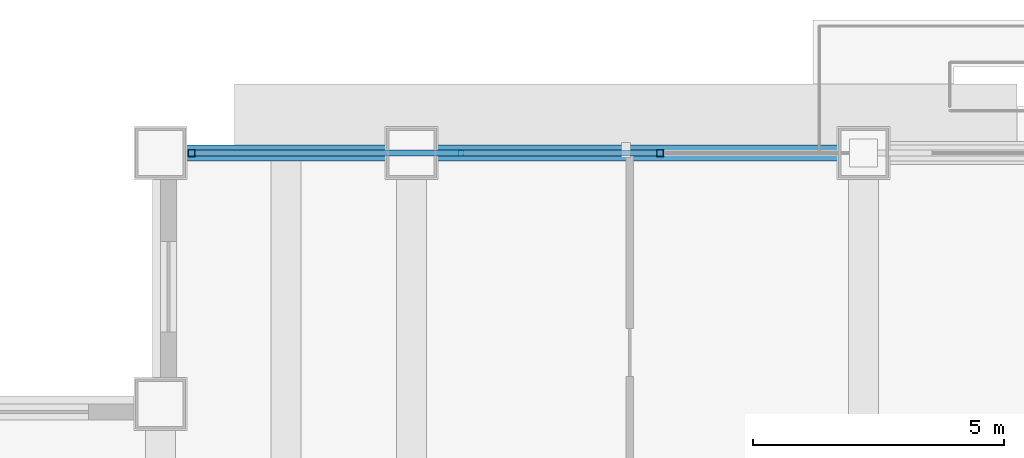
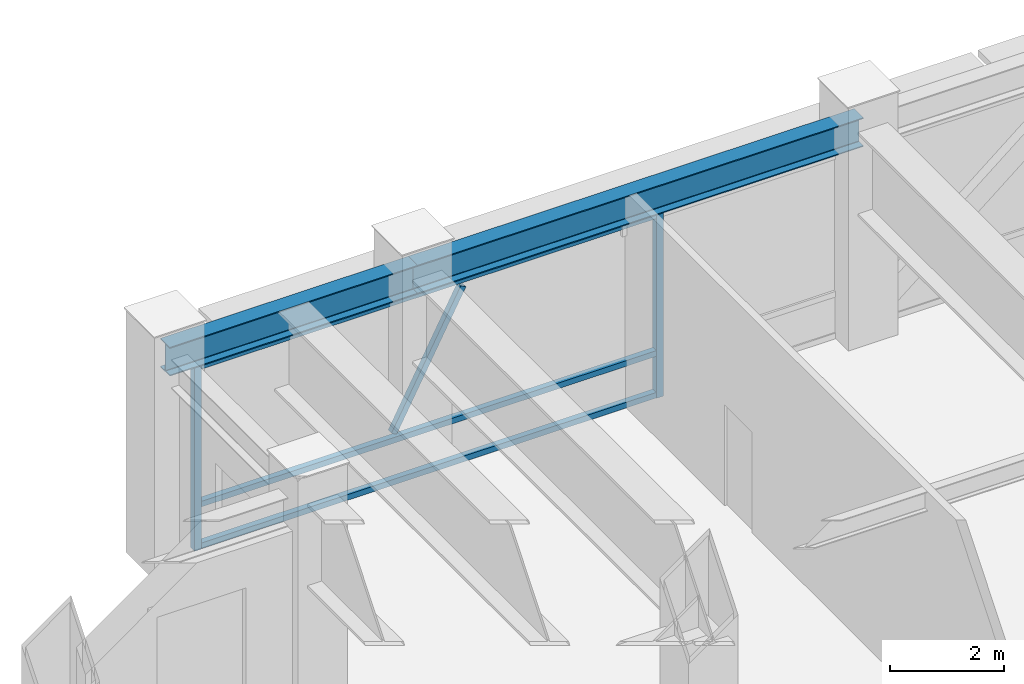
# One storey, part 16 of 33: 6 members, 2 beams, 1 element without a shape of its own.
"""IFC4 building model written with IfcOpenShell, lengths in metres."""

from ifc_helpers import new_model, si_unit, direction, frame, origin, origin_2d, place, context, subcontext, project, spatial, hollow_rectangle, i_section, extrude, source, transform, mapped, material, material_profile, profile_set, type_object, element, aggregate, save


model = new_model("IFC4")

# Units and contexts
model_context = context("Model", 3, precision=1e-05, world=origin(), true_north=direction((0.0, 1.0)))
body_context = subcontext(model_context, "Body", "Model", "MODEL_VIEW")
ifc_project = project(units=[si_unit("LENGTHUNIT", "METRE"), si_unit("AREAUNIT", "SQUARE_METRE"), si_unit("VOLUMEUNIT", "CUBIC_METRE"), si_unit("PLANEANGLEUNIT", "RADIAN"), si_unit("MASSUNIT", "GRAM", prefix="KILO")], contexts=[model_context])

# Site, building, storey
site_placement = place(None, origin())
site = spatial("IfcSite", under=ifc_project, at=site_placement, CompositionType="ELEMENT")
building_placement = place(site_placement, origin())
building = spatial("IfcBuilding", under=site, at=building_placement, Name="Khorayat Bourse Tower", CompositionType="ELEMENT")
storey_placement = place(building_placement, frame((0.0, 0.0, 263.10009765625)))
storey = spatial("IfcBuildingStorey", under=building, at=storey_placement, Name="L62", CompositionType="ELEMENT", Elevation=263.10009765625)

# Beams
ifc_material_1 = material(Name="Steel ASTM A992 Grade 50", Category="steel")
ifc_material_profile_1 = material_profile(ifc_material_1, i_section(OverallWidth=0.324951171875, OverallDepth=0.615966796875, WebThickness=0.013916015625, FlangeThickness=0.021484375, FilletRadius=0.01611328125, at=origin_2d()), Name="W610X174")
ifc_profile_set_1 = profile_set([ifc_material_profile_1], Name="Steel ASTM A992 Grade 50")
beam_type = type_object("IfcBeamType", Name="BM-SPAN-610", PredefinedType="SPANDREL", material=ifc_profile_set_1)
shared_shape_1 = source(origin(), body_context, "Body", "SweptSolid", [
    extrude(i_section(OverallWidth=0.324951171875, OverallDepth=0.615966796875, WebThickness=0.013916015625, FlangeThickness=0.021484375, FilletRadius=0.01611328125, at=origin_2d()), origin(), (0.0, 0.0, 1.0), 9.0),
])
beam_1_placement = place(storey_placement, frame((-20.0, 30.0, 4.2919921875), z_axis=(1.0, 0.0, 0.0), x_axis=(0.0, 1.0, 0.0)))
element("IfcBeam", 1, at=beam_1_placement, inside=storey, type_object=beam_type, Name="L62 BM-SPAN-610 BM-L62-SPN-050", PredefinedType="SPANDREL", context=body_context, shape_type="MappedRepresentation", body=[
    mapped(shared_shape_1, transform((0.0, 0.0, 0.0), scale=1.0)),
])
shared_shape_2 = source(origin(), body_context, "Body", "SweptSolid", [
    extrude(i_section(OverallWidth=0.324951171875, OverallDepth=0.615966796875, WebThickness=0.013916015625, FlangeThickness=0.021484375, FilletRadius=0.01611328125, at=origin_2d()), origin(), (0.0, 0.0, 1.0), 5.0),
])
beam_2_placement = place(storey_placement, frame((-25.0, 30.0, 4.2919921875), z_axis=(1.0, 0.0, 0.0), x_axis=(0.0, 1.0, 0.0)))
element("IfcBeam", 2, at=beam_2_placement, inside=storey, type_object=beam_type, Name="L62 BM-SPAN-610 BM-L62-SPN-051", PredefinedType="SPANDREL", context=body_context, shape_type="MappedRepresentation", body=[
    mapped(shared_shape_2, transform((0.0, 0.0, 0.0), scale=1.0)),
])

# Curtain wall, members
ifc_material_2 = material(Name="Aluminium EN AW-6063 T6", Category="aluminium")
curtain_wall_type = type_object("IfcCurtainWallType", Name="CW-SYS-05", PredefinedType="NOTDEFINED", material=ifc_material_2)
curtain_wall_placement = place(storey_placement, origin())
curtain_wall = element("IfcCurtainWall", 3, at=curtain_wall_placement, inside=storey, type_object=curtain_wall_type, Name="L62 Curtain Wall CW-L62-N1", PredefinedType="NOTDEFINED")
ifc_material_profile_2 = material_profile(ifc_material_2, hollow_rectangle(XDim=0.139892578125, YDim=0.139892578125, WallThickness=0.006103515625, at=origin_2d()), Name="ALU 140x140x6")
ifc_profile_set_2 = profile_set([ifc_material_profile_2], Name="Aluminium EN AW-6063 T6")
member_type_1 = type_object("IfcMemberType", Name="CWM-VERT-140", PredefinedType="MULLION", material=ifc_profile_set_2)
shared_shape_3 = source(origin(), body_context, "Body", "SweptSolid", [
    extrude(hollow_rectangle(XDim=0.139892578125, YDim=0.139892578125, WallThickness=0.006103515625, at=origin_2d()), origin(), (0.0, 0.0, 1.0), 3.949951171875),
])
member_1_placement = place(storey_placement, frame((-24.3798828125, 30.0, 0.0), z_axis=(0.0, 0.0, 1.0), x_axis=(0.0, 1.0, 0.0)))
member_1 = element("IfcMember", 4, at=member_1_placement, type_object=member_type_1, Name="CW-L62-N1 Vertical Mullion 1", PredefinedType="MULLION", context=body_context, shape_type="MappedRepresentation", body=[
    mapped(shared_shape_3, transform((0.0, 0.0, 0.0), scale=1.0)),
])
member_2_placement = place(storey_placement, frame((-15.050048828125, 30.0, 0.0), z_axis=(0.0, 0.0, 1.0), x_axis=(0.0, 1.0, 0.0)))
member_2 = element("IfcMember", 5, at=member_2_placement, type_object=member_type_1, Name="CW-L62-N1 Vertical Mullion 2", PredefinedType="MULLION", context=body_context, shape_type="MappedRepresentation", body=[
    mapped(shared_shape_3, transform((0.0, 0.0, 0.0), scale=1.0)),
])
ifc_material_profile_3 = material_profile(ifc_material_2, hollow_rectangle(XDim=0.1201171875, YDim=0.1201171875, WallThickness=0.0048828125, at=origin_2d()), Name="ALU 120x120x5")
ifc_profile_set_3 = profile_set([ifc_material_profile_3], Name="Aluminium EN AW-6063 T6")
member_type_2 = type_object("IfcMemberType", Name="CWT-HORZ-120", PredefinedType="USERDEFINED", material=ifc_profile_set_3)
shared_shape_4 = source(origin(), body_context, "Body", "SweptSolid", [
    extrude(hollow_rectangle(XDim=0.1201171875, YDim=0.1201171875, WallThickness=0.0048828125, at=origin_2d()), origin(), (0.0, 0.0, 1.0), 9.18994140625),
])
member_3_placement = place(storey_placement, frame((-24.31005859375, 30.0, 0.059814453125), z_axis=(1.0, 0.0, 0.0), x_axis=(0.0, 1.0, 0.0)))
member_3 = element("IfcMember", 6, at=member_3_placement, type_object=member_type_2, Name="CW-L62-N1 Horizontal Transom 1-1", ObjectType="TRANSOM", PredefinedType="USERDEFINED", context=body_context, shape_type="MappedRepresentation", body=[
    mapped(shared_shape_4, transform((0.0, 0.0, 0.0), scale=1.0)),
])
member_4_placement = place(storey_placement, frame((-24.31005859375, 30.0, 0.949951171875), z_axis=(1.0, 0.0, 0.0), x_axis=(0.0, 1.0, 0.0)))
member_4 = element("IfcMember", 7, at=member_4_placement, type_object=member_type_2, Name="CW-L62-N1 Horizontal Transom 1-2", ObjectType="TRANSOM", PredefinedType="USERDEFINED", context=body_context, shape_type="MappedRepresentation", body=[
    mapped(shared_shape_4, transform((0.0, 0.0, 0.0), scale=1.0)),
])
member_5_placement = place(storey_placement, frame((-24.31005859375, 30.0, 3.889892578125), z_axis=(1.0, 0.0, 0.0), x_axis=(0.0, 1.0, 0.0)))
member_5 = element("IfcMember", 8, at=member_5_placement, type_object=member_type_2, Name="CW-L62-N1 Horizontal Transom 1-3", ObjectType="TRANSOM", PredefinedType="USERDEFINED", context=body_context, shape_type="MappedRepresentation", body=[
    mapped(shared_shape_4, transform((0.0, 0.0, 0.0), scale=1.0)),
])
ifc_material_profile_4 = material_profile(ifc_material_2, hollow_rectangle(XDim=0.1201171875, YDim=0.1201171875, WallThickness=0.0048828125, at=origin_2d()), Name="ALU 120x120x5")
ifc_profile_set_4 = profile_set([ifc_material_profile_4], Name="Aluminium EN AW-6063 T6")
member_type_3 = type_object("IfcMemberType", Name="CWM-DIAG-120", PredefinedType="MULLION", material=ifc_profile_set_4)
shared_shape_5 = source(origin(), body_context, "Body", "SweptSolid", [
    extrude(hollow_rectangle(XDim=0.1201171875, YDim=0.1201171875, WallThickness=0.0048828125, at=origin_2d()), origin(), (0.0, 0.0, 1.0), 3.006103515625),
])
member_6_placement = place(storey_placement, frame((-20.4150390625, 30.0, 1.08984375), z_axis=(0.465763168855, 0.0, 0.884909413747), x_axis=(0.0, 1.0, 0.0)))
member_6 = element("IfcMember", 9, at=member_6_placement, type_object=member_type_3, Name="CW-L62-N1 Faceted Diagonal Mullion 1", PredefinedType="MULLION", context=body_context, shape_type="MappedRepresentation", body=[
    mapped(shared_shape_5, transform((0.0, 0.0, 0.0), scale=1.0)),
])
aggregate(curtain_wall, [member_1, member_2, member_3, member_4, member_5, member_6])

save(model, "model.ifc")
